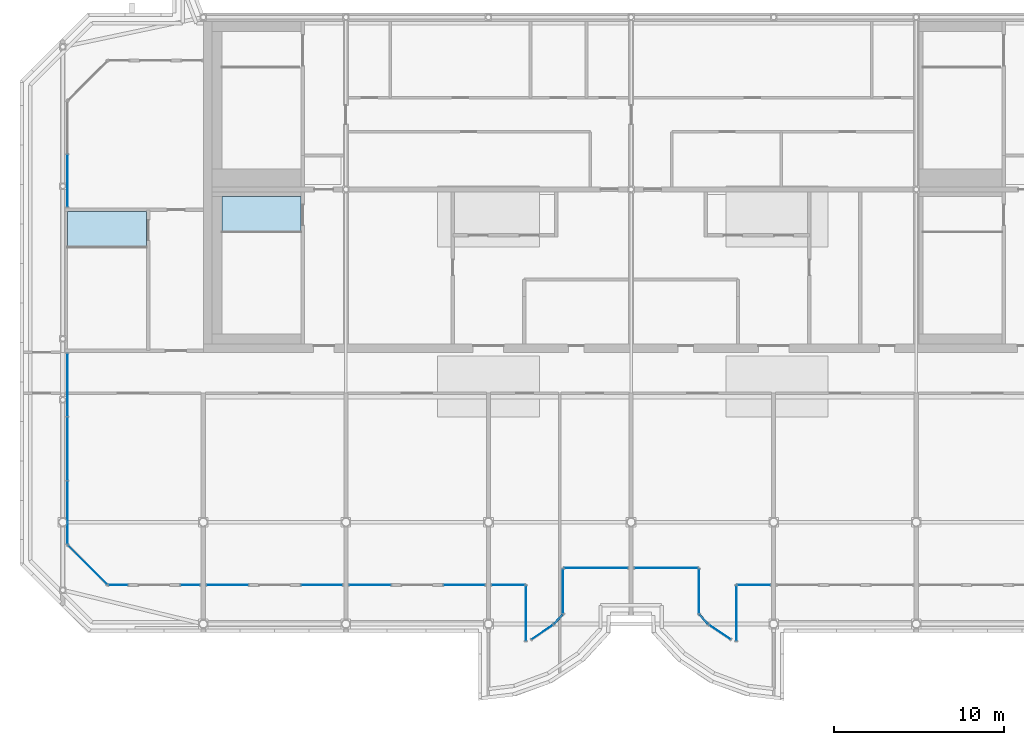
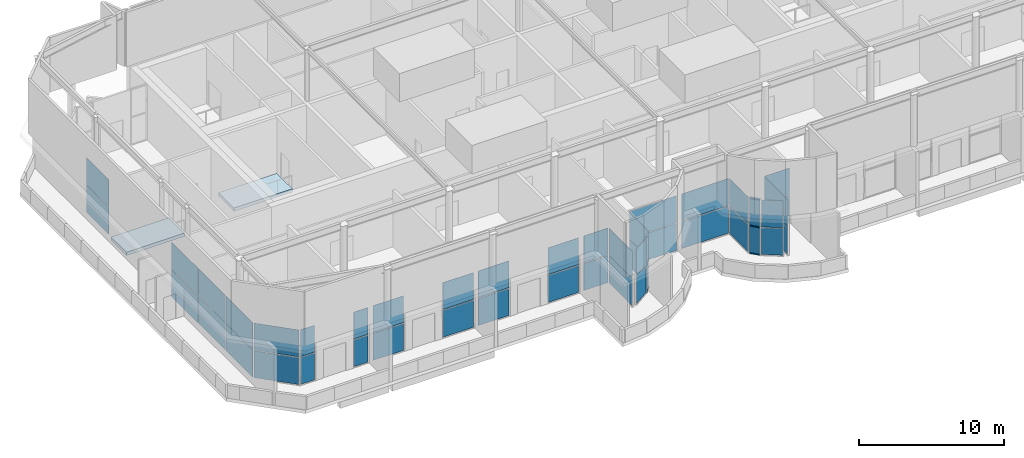
# One storey, part 16 of 25: 46 plates, 6 members, 2 slabs, 21 elements without a shape of their own.
"""IFC4 building model written with IfcOpenShell, lengths in metres."""

import ifcopenshell
import ifcopenshell.guid

model = None  # the IFC model being written
_history = None  # IfcOwnerHistory: only IFC2X3 demands one
_inside = {}  # id of a spatial element -> (the spatial element, [elements in it])
_under = {}  # id of a project, library or spatial element -> (it, [spatial elements below it])
_declared = {}  # id of a project -> (the project, [libraries it declares])
_typed = {}  # id of a type object -> (the type object, [elements of that type])
_made_of = {}  # id of a material, layer set ... -> (it, [elements and type objects made of it])


def new_model(schema):
    """Start an empty IFC model of exactly this schema.

    Asked for "IFC4X3", IfcOpenShell would pick the latest addendum, in which some entities
    have other attributes; the version numbers below select the first issue.
    IFC2X3 requires an IfcOwnerHistory on every rooted entity: one is made here for all.
    """
    global model, _history
    if schema == "IFC4X3":
        model = ifcopenshell.file(schema_version=(4, 3, 0, 0))
    else:
        model = ifcopenshell.file(schema=schema)
    _inside.clear()
    _under.clear()
    _declared.clear()
    _typed.clear()
    _made_of.clear()
    _history = None
    if model.schema == "IFC2X3":
        org = make("IfcOrganization", Name="unknown")
        user = make(
            "IfcPersonAndOrganization",
            ThePerson=make("IfcPerson", FamilyName="unknown"),
            TheOrganization=org,
        )
        app = make(
            "IfcApplication",
            ApplicationDeveloper=org,
            Version="unknown",
            ApplicationFullName="unknown",
            ApplicationIdentifier="unknown",
        )
        _history = make(
            "IfcOwnerHistory",
            OwningUser=user,
            OwningApplication=app,
            ChangeAction="ADDED",
            CreationDate=0,
        )
    return model


def make(cls, **values):
    """One entity of the class cls with the attributes given. An attribute that is None is left unset."""
    return model.create_entity(
        cls, **{name: value for name, value in values.items() if value is not None}
    )


def rooted(cls, **values):
    """An entity with a GlobalId (a new one), such as an element, a storey or a relation."""
    return make(cls, GlobalId=ifcopenshell.guid.new(), OwnerHistory=_history, **values)


def si_unit(unit_type, name, prefix=None):
    """IfcSIUnit, for example si_unit("LENGTHUNIT", "METRE", prefix="MILLI")."""
    return make("IfcSIUnit", UnitType=unit_type, Prefix=prefix, Name=name)


def assignment(units):
    """IfcUnitAssignment: the units of a project."""
    return None if units is None else make("IfcUnitAssignment", Units=units)


def point(xyz):
    """IfcCartesianPoint."""
    return None if xyz is None else make("IfcCartesianPoint", Coordinates=xyz)


def direction(xyz):
    """IfcDirection."""
    return None if xyz is None else make("IfcDirection", DirectionRatios=xyz)


def frame(location, z_axis=None, x_axis=None):
    """IfcAxis2Placement3D, a coordinate frame: its origin and axes. An axis left out is left unset."""
    return make(
        "IfcAxis2Placement3D",
        Location=point(location),
        Axis=direction(z_axis),
        RefDirection=direction(x_axis),
    )


def frame_2d(location, x_axis=None):
    """IfcAxis2Placement2D, a coordinate frame in the plane: its origin and x axis."""
    return make(
        "IfcAxis2Placement2D", Location=point(location), RefDirection=direction(x_axis)
    )


def origin():
    """The frame at (0, 0, 0) with its axes left unset."""
    return frame((0.0, 0.0, 0.0))


def origin_2d():
    """The frame at (0, 0) in the plane with its x axis left unset."""
    return frame_2d((0.0, 0.0))


def place(relative_to, where):
    """IfcLocalPlacement: puts the frame where relative to a parent placement (None: the world)."""
    return make(
        "IfcLocalPlacement", PlacementRelTo=relative_to, RelativePlacement=where
    )


def context(
    kind, dimensions, precision=None, world=None, true_north=None, identifier=None
):
    """IfcGeometricRepresentationContext, for example the 3D "Model" context."""
    return make(
        "IfcGeometricRepresentationContext",
        ContextIdentifier=identifier,
        ContextType=kind,
        CoordinateSpaceDimension=dimensions,
        Precision=precision,
        WorldCoordinateSystem=world,
        TrueNorth=true_north,
    )


def subcontext(parent, identifier, kind, view, scale=None):
    """IfcGeometricRepresentationSubContext, for example "Body" below "Model"."""
    return make(
        "IfcGeometricRepresentationSubContext",
        ContextIdentifier=identifier,
        ContextType=kind,
        ParentContext=parent,
        TargetScale=scale,
        TargetView=view,
    )


def project(units=None, contexts=None):
    """IfcProject with its units and contexts."""
    return rooted(
        "IfcProject",
        Name="project",
        RepresentationContexts=contexts,
        UnitsInContext=assignment(units),
    )


def spatial(cls, under=None, at=None, **own):
    """A site, building, storey or space (cls), placed at a placement, below another one or the project."""
    s = rooted(cls, ObjectPlacement=at, **own)
    if under is not None:
        _under.setdefault(under.id(), (under, []))[1].append(s)
    return s


def polyline(points):
    """IfcPolyline through the points."""
    return make("IfcPolyline", Points=[point(p) for p in points])


def profile(cls, at=None, kind="AREA", **sizes):
    """A parametric profile (cls). Its sizes go by their IFC names, for example OverallWidth=200.0."""
    return make(cls, ProfileType=kind, Position=at, **sizes)


def rectangle(**sizes):
    """IfcRectangleProfileDef."""
    return profile("IfcRectangleProfileDef", **sizes)


def outline(outer, holes=None, kind="AREA"):
    """IfcArbitraryClosedProfileDef: a profile drawn as a closed curve; with holes, ...WithVoids."""
    if holes is None:
        return make("IfcArbitraryClosedProfileDef", ProfileType=kind, OuterCurve=outer)
    return make(
        "IfcArbitraryProfileDefWithVoids",
        ProfileType=kind,
        OuterCurve=outer,
        InnerCurves=holes,
    )


def extrude(swept, where, along, depth):
    """IfcExtrudedAreaSolid: the profile swept, set in the frame where, extruded along a direction by depth."""
    return make(
        "IfcExtrudedAreaSolid",
        SweptArea=swept,
        Position=where,
        ExtrudedDirection=direction(along),
        Depth=depth,
    )


def shape(context_of_items, identifier, shape_type, items):
    """IfcShapeRepresentation: the items that make up one representation, for example the "Body"."""
    return make(
        "IfcShapeRepresentation",
        ContextOfItems=context_of_items,
        RepresentationIdentifier=identifier,
        RepresentationType=shape_type,
        Items=items,
    )


def source(mapping_origin, context_of_items, identifier, shape_type, items):
    """IfcRepresentationMap: a shape defined once, which mapped items show again and again."""
    return make(
        "IfcRepresentationMap",
        MappingOrigin=mapping_origin,
        MappedRepresentation=shape(context_of_items, identifier, shape_type, items),
    )


def transform(
    local_origin,
    x_axis=None,
    y_axis=None,
    z_axis=None,
    scale=None,
    scale2=None,
    scale3=None,
    uniform=True,
):
    """IfcCartesianTransformationOperator3D, or its non-uniform kind. x_axis, y_axis, z_axis: its Axis1, 2, 3."""
    if uniform:
        return make(
            "IfcCartesianTransformationOperator3D",
            Axis1=direction(x_axis),
            Axis2=direction(y_axis),
            LocalOrigin=point(local_origin),
            Scale=scale,
            Axis3=direction(z_axis),
        )
    return make(
        "IfcCartesianTransformationOperator3DnonUniform",
        Axis1=direction(x_axis),
        Axis2=direction(y_axis),
        LocalOrigin=point(local_origin),
        Scale=scale,
        Axis3=direction(z_axis),
        Scale2=scale2,
        Scale3=scale3,
    )


def mapped(mapping_source, mapping_target):
    """IfcMappedItem: shows the shape of a source again, moved by a transform."""
    return make(
        "IfcMappedItem", MappingSource=mapping_source, MappingTarget=mapping_target
    )


def material(Name=None, Category=None):
    """IfcMaterial."""
    return make("IfcMaterial", Name=Name, Category=Category)


def layer(
    of_material, thickness, ventilated=None, Name=None, Category=None, Priority=None
):
    """IfcMaterialLayer: one layer of a wall or slab, of a material (None: an air gap)."""
    return make(
        "IfcMaterialLayer",
        Material=of_material,
        LayerThickness=thickness,
        IsVentilated=ventilated,
        Name=Name,
        Category=Category,
        Priority=Priority,
    )


def layer_set(layers, Name=None):
    """IfcMaterialLayerSet."""
    return make("IfcMaterialLayerSet", MaterialLayers=layers, LayerSetName=Name)


def material_profile(
    of_material, cross_section, Name=None, Category=None, Priority=None
):
    """IfcMaterialProfile: a cross section and its material."""
    return make(
        "IfcMaterialProfile",
        Name=Name,
        Material=of_material,
        Profile=cross_section,
        Priority=Priority,
        Category=Category,
    )


def profile_set(profiles, Name=None, composite=None):
    """IfcMaterialProfileSet."""
    return make(
        "IfcMaterialProfileSet",
        Name=Name,
        MaterialProfiles=profiles,
        CompositeProfile=composite,
    )


def made_of(thing, what):
    """Note that an element or type object is made of a material, layer set ...; save() writes the relation."""
    if what is not None:
        _made_of.setdefault(what.id(), (what, []))[1].append(thing)
    return thing


def type_object(cls, material=None, **own):
    """A type object (cls), such as IfcWallType, which elements share."""
    return made_of(rooted(cls, **own), material)


def element(
    cls,
    number,
    at=None,
    inside=None,
    cuts=None,
    type_object=None,
    material=None,
    context=None,
    identifier="Body",
    shape_type=None,
    held_by="IfcProductDefinitionShape",
    body=None,
    shapes=None,
    **own,
):
    """One element of the class cls, such as IfcWall. Its Tag is "e" and its number.

    at: its placement. inside: the storey or other place that contains it. cuts: it is an
    opening in that element (IfcRelVoidsElement). A single representation is given by context,
    identifier, shape_type and body (its items); several are given by shapes. held_by: the class
    of the entity that holds the representations. save() writes the other relations.
    """
    e = rooted(cls, Tag="e%d" % number, ObjectPlacement=at, **own)
    if body is not None:
        shapes = [shape(context, identifier, shape_type, body)]
    if shapes is not None:
        e.Representation = make(held_by, Representations=shapes)
    if inside is not None:
        _inside.setdefault(inside.id(), (inside, []))[1].append(e)
    if cuts is not None:
        rooted(
            "IfcRelVoidsElement", RelatingBuildingElement=cuts, RelatedOpeningElement=e
        )
    if type_object is not None:
        _typed.setdefault(type_object.id(), (type_object, []))[1].append(e)
    return made_of(e, material)


def aggregate(whole, parts):
    """IfcRelAggregates: a whole, such as a stair, and the parts it consists of."""
    return rooted("IfcRelAggregates", RelatingObject=whole, RelatedObjects=parts)


def save(model, path):
    """Write the relations noted so far, then the file.

    IfcRelAggregates (storeys below a building ...), IfcRelContainedInSpatialStructure (elements
    in a storey), IfcRelDefinesByType, IfcRelAssociatesMaterial and IfcRelDeclares: one each for
    every whole, place, type object, material and project.
    """
    for whole, parts in _under.values():
        aggregate(whole, parts)
    for where, things in _inside.values():
        rooted(
            "IfcRelContainedInSpatialStructure",
            RelatedElements=things,
            RelatingStructure=where,
        )
    for kind, things in _typed.values():
        rooted("IfcRelDefinesByType", RelatedObjects=things, RelatingType=kind)
    for what, things in _made_of.values():
        rooted("IfcRelAssociatesMaterial", RelatedObjects=things, RelatingMaterial=what)
    for by, libraries in _declared.values():
        rooted("IfcRelDeclares", RelatingContext=by, RelatedDefinitions=libraries)
    model.write(path)


model = new_model("IFC4")

# Units and contexts
model_context = context("Model", 3, precision=1e-05, world=origin(), true_north=direction((0.0, 1.0)))
body_context = subcontext(model_context, "Body", "Model", "MODEL_VIEW")
ifc_project = project(units=[si_unit("LENGTHUNIT", "METRE"), si_unit("AREAUNIT", "SQUARE_METRE"), si_unit("VOLUMEUNIT", "CUBIC_METRE"), si_unit("PLANEANGLEUNIT", "RADIAN"), si_unit("MASSUNIT", "GRAM", prefix="KILO")], contexts=[model_context])

# Site, building, storey
site_placement = place(None, origin())
site = spatial("IfcSite", under=ifc_project, at=site_placement, CompositionType="ELEMENT")
building_placement = place(site_placement, origin())
building = spatial("IfcBuilding", under=site, at=building_placement, Name="Vanashikhar Sky Hotel", CompositionType="ELEMENT")
storey_placement = place(building_placement, frame((0.0, 0.0, 329.699951171875)))
storey = spatial("IfcBuildingStorey", under=building, at=storey_placement, Name="L78", CompositionType="ELEMENT", Elevation=329.699951171875)

# Curtain wall, members
ifc_material_1 = material(Name="Glass", Category="glass")
curtain_wall_type = type_object("IfcCurtainWallType", Name="Observation enclosure", PredefinedType="NOTDEFINED", material=ifc_material_1)
curtain_wall_1_placement = place(storey_placement, origin())
curtain_wall_1 = element("IfcCurtainWall", 1, at=curtain_wall_1_placement, inside=storey, type_object=curtain_wall_type, Name="Observation enclosure", PredefinedType="NOTDEFINED")
ifc_material_2 = material(Name="Aluminium 6063-T6", Category="aluminium")
ifc_material_profile = material_profile(ifc_material_2, rectangle(XDim=0.1201171875, YDim=0.06005859375, at=origin_2d()))
ifc_profile_set = profile_set([ifc_material_profile], Name="Aluminium 6063-T6")
member_type = type_object("IfcMemberType", Name="Observation transom 60 x 120", PredefinedType="USERDEFINED", material=ifc_profile_set)
shared_shape_1 = source(origin(), body_context, "Body", "SweptSolid", [
    extrude(rectangle(XDim=0.1201171875, YDim=0.06005859375, at=origin_2d()), origin(), (0.0, 0.0, 1.0), 0.728271484375),
])
member_1_placement = place(storey_placement, frame((45.86767578125, 6.007080078125, 0.030029296875), z_axis=(0.67523865305, 0.737599323093, 0.0), x_axis=(-0.737599323093, 0.67523865305, 0.0)))
member_1 = element("IfcMember", 2, at=member_1_placement, type_object=member_type, Name="CW-6 transom 1.1", ObjectType="TRANSOM", PredefinedType="USERDEFINED", context=body_context, shape_type="MappedRepresentation", body=[
    mapped(shared_shape_1, transform((0.0, 0.0, 0.0), scale=1.0)),
])
member_2_placement = place(storey_placement, frame((45.86767578125, 6.007080078125, 2.360107421875), z_axis=(0.67523865305, 0.737599323093, 0.0), x_axis=(-0.737599323093, 0.67523865305, 0.0)))
member_2 = element("IfcMember", 3, at=member_2_placement, type_object=member_type, Name="CW-6 transom 1.2", ObjectType="TRANSOM", PredefinedType="USERDEFINED", context=body_context, shape_type="MappedRepresentation", body=[
    mapped(shared_shape_1, transform((0.0, 0.0, 0.0), scale=1.0)),
])
member_3_placement = place(storey_placement, frame((45.86767578125, 6.007080078125, 4.68994140625), z_axis=(0.67523865305, 0.737599323093, 0.0), x_axis=(-0.737599323093, 0.67523865305, 0.0)))
member_3 = element("IfcMember", 4, at=member_3_placement, type_object=member_type, Name="CW-6 transom 1.3", ObjectType="TRANSOM", PredefinedType="USERDEFINED", context=body_context, shape_type="MappedRepresentation", body=[
    mapped(shared_shape_1, transform((0.0, 0.0, 0.0), scale=1.0)),
])

curtain_wall_2_placement = place(storey_placement, origin())
curtain_wall_2 = element("IfcCurtainWall", 5, at=curtain_wall_2_placement, inside=storey, type_object=curtain_wall_type, Name="Observation enclosure", PredefinedType="NOTDEFINED")
shared_shape_2 = source(origin(), body_context, "Body", "SweptSolid", [
    extrude(rectangle(XDim=0.1201171875, YDim=0.06005859375, at=origin_2d()), origin(), (0.0, 0.0, 1.0), 0.728271484375),
])
member_4_placement = place(storey_placement, frame((54.4404296875, 6.544189453125, 0.030029296875), z_axis=(0.675420997007, -0.737432354052, 0.0), x_axis=(0.737432354052, 0.675420997007, 0.0)))
member_4 = element("IfcMember", 6, at=member_4_placement, type_object=member_type, Name="CW-6 transom 1.1", ObjectType="TRANSOM", PredefinedType="USERDEFINED", context=body_context, shape_type="MappedRepresentation", body=[
    mapped(shared_shape_2, transform((0.0, 0.0, 0.0), scale=1.0)),
])
member_5_placement = place(storey_placement, frame((54.4404296875, 6.544189453125, 2.360107421875), z_axis=(0.675420997007, -0.737432354052, 0.0), x_axis=(0.737432354052, 0.675420997007, 0.0)))
member_5 = element("IfcMember", 7, at=member_5_placement, type_object=member_type, Name="CW-6 transom 1.2", ObjectType="TRANSOM", PredefinedType="USERDEFINED", context=body_context, shape_type="MappedRepresentation", body=[
    mapped(shared_shape_2, transform((0.0, 0.0, 0.0), scale=1.0)),
])
member_6_placement = place(storey_placement, frame((54.4404296875, 6.544189453125, 4.68994140625), z_axis=(0.675420997007, -0.737432354052, 0.0), x_axis=(0.737432354052, 0.675420997007, 0.0)))
member_6 = element("IfcMember", 8, at=member_6_placement, type_object=member_type, Name="CW-6 transom 1.3", ObjectType="TRANSOM", PredefinedType="USERDEFINED", context=body_context, shape_type="MappedRepresentation", body=[
    mapped(shared_shape_2, transform((0.0, 0.0, 0.0), scale=1.0)),
])

# Curtain wall, plates
curtain_wall_3_placement = place(storey_placement, origin())
curtain_wall_3 = element("IfcCurtainWall", 9, at=curtain_wall_3_placement, inside=storey, type_object=curtain_wall_type, Name="Observation enclosure", PredefinedType="NOTDEFINED")
ifc_layer_1 = layer(ifc_material_1, 0.028076171875)
ifc_layer_set_1 = layer_set([ifc_layer_1], Name="Observation glazing panel")
plate_type = type_object("IfcPlateType", Name="Observation glazing panel", PredefinedType="CURTAIN_PANEL", material=ifc_layer_set_1)
shared_shape_3 = source(origin(), body_context, "Body", "SweptSolid", [
    extrude(rectangle(XDim=3.21728515625, YDim=0.028076171875, at=origin_2d()), origin(), (0.0, 0.0, 1.0), 2.27001953125),
])
plate_1_placement = place(storey_placement, frame((18.3798828125, 9.47998046875, 0.06005859375), z_axis=(0.0, 0.0, 1.0), x_axis=(0.707106781187, -0.707106781187, 0.0)))
plate_1 = element("IfcPlate", 10, at=plate_1_placement, type_object=plate_type, Name="CW-6 panel 1.1", PredefinedType="CURTAIN_PANEL", context=body_context, shape_type="MappedRepresentation", body=[
    mapped(shared_shape_3, transform((0.0, 0.0, 0.0), scale=1.0)),
])
plate_2_placement = place(storey_placement, frame((18.3798828125, 9.47998046875, 2.39013671875), z_axis=(0.0, 0.0, 1.0), x_axis=(0.707106781187, -0.707106781187, 0.0)))
plate_2 = element("IfcPlate", 11, at=plate_2_placement, type_object=plate_type, Name="CW-6 panel 1.2", PredefinedType="CURTAIN_PANEL", context=body_context, shape_type="MappedRepresentation", body=[
    mapped(shared_shape_3, transform((0.0, 0.0, 0.0), scale=1.0)),
])
aggregate(curtain_wall_3, [plate_1, plate_2])

curtain_wall_4_placement = place(storey_placement, origin())
curtain_wall_4 = element("IfcCurtainWall", 12, at=curtain_wall_4_placement, inside=storey, type_object=curtain_wall_type, Name="Observation enclosure", PredefinedType="NOTDEFINED")
shared_shape_4 = source(origin(), body_context, "Body", "SweptSolid", [
    extrude(rectangle(XDim=3.683349609375, YDim=0.028076171875, at=origin_2d()), origin(), (0.0, 0.0, 1.0), 2.27001953125),
])
plate_3_placement = place(storey_placement, frame((17.199951171875, 20.078369140625, 0.06005859375), z_axis=(0.0, 0.0, 1.0), x_axis=(0.0, -1.0, 0.0)))
plate_3 = element("IfcPlate", 13, at=plate_3_placement, type_object=plate_type, Name="CW-6 panel 1.1", PredefinedType="CURTAIN_PANEL", context=body_context, shape_type="MappedRepresentation", body=[
    mapped(shared_shape_4, transform((0.0, 0.0, 0.0), scale=1.0)),
])
plate_4_placement = place(storey_placement, frame((17.199951171875, 20.078369140625, 2.39013671875), z_axis=(0.0, 0.0, 1.0), x_axis=(0.0, -1.0, 0.0)))
plate_4 = element("IfcPlate", 14, at=plate_4_placement, type_object=plate_type, Name="CW-6 panel 1.2", PredefinedType="CURTAIN_PANEL", context=body_context, shape_type="MappedRepresentation", body=[
    mapped(shared_shape_4, transform((0.0, 0.0, 0.0), scale=1.0)),
])
plate_5_placement = place(storey_placement, frame((17.199951171875, 12.5615234375, 0.06005859375), z_axis=(0.0, 0.0, 1.0), x_axis=(0.0, -1.0, 0.0)))
plate_5 = element("IfcPlate", 15, at=plate_5_placement, type_object=plate_type, Name="CW-6 panel 3.1", PredefinedType="CURTAIN_PANEL", context=body_context, shape_type="MappedRepresentation", body=[
    mapped(shared_shape_4, transform((0.0, 0.0, 0.0), scale=1.0)),
])
plate_6_placement = place(storey_placement, frame((17.199951171875, 12.5615234375, 2.39013671875), z_axis=(0.0, 0.0, 1.0), x_axis=(0.0, -1.0, 0.0)))
plate_6 = element("IfcPlate", 16, at=plate_6_placement, type_object=plate_type, Name="CW-6 panel 3.2", PredefinedType="CURTAIN_PANEL", context=body_context, shape_type="MappedRepresentation", body=[
    mapped(shared_shape_4, transform((0.0, 0.0, 0.0), scale=1.0)),
])
shared_shape_5 = source(origin(), body_context, "Body", "SweptSolid", [
    extrude(rectangle(XDim=3.71337890625, YDim=0.028076171875, at=origin_2d()), origin(), (0.0, 0.0, 1.0), 2.27001953125),
])
plate_7_placement = place(storey_placement, frame((17.199951171875, 16.31982421875, 0.06005859375), z_axis=(0.0, 0.0, 1.0), x_axis=(0.0, -1.0, 0.0)))
plate_7 = element("IfcPlate", 17, at=plate_7_placement, type_object=plate_type, Name="CW-6 panel 2.1", PredefinedType="CURTAIN_PANEL", context=body_context, shape_type="MappedRepresentation", body=[
    mapped(shared_shape_5, transform((0.0, 0.0, 0.0), scale=1.0)),
])
plate_8_placement = place(storey_placement, frame((17.199951171875, 16.31982421875, 2.39013671875), z_axis=(0.0, 0.0, 1.0), x_axis=(0.0, -1.0, 0.0)))
plate_8 = element("IfcPlate", 18, at=plate_8_placement, type_object=plate_type, Name="CW-6 panel 2.2", PredefinedType="CURTAIN_PANEL", context=body_context, shape_type="MappedRepresentation", body=[
    mapped(shared_shape_5, transform((0.0, 0.0, 0.0), scale=1.0)),
])
aggregate(curtain_wall_4, [plate_3, plate_4, plate_7, plate_8, plate_5, plate_6])

curtain_wall_5_placement = place(storey_placement, origin())
curtain_wall_5 = element("IfcCurtainWall", 19, at=curtain_wall_5_placement, inside=storey, type_object=curtain_wall_type, Name="Observation enclosure", PredefinedType="NOTDEFINED")
shared_shape_6 = source(origin(), body_context, "Body", "SweptSolid", [
    extrude(rectangle(XDim=3.070068359375, YDim=0.028076171875, at=origin_2d()), origin(), (0.0, 0.0, 1.0), 2.27001953125),
])
plate_9_placement = place(storey_placement, frame((17.199951171875, 32.114990234375, 0.06005859375), z_axis=(0.0, 0.0, 1.0), x_axis=(0.0, -1.0, 0.0)))
plate_9 = element("IfcPlate", 20, at=plate_9_placement, type_object=plate_type, Name="CW-6 panel 2.1", PredefinedType="CURTAIN_PANEL", context=body_context, shape_type="MappedRepresentation", body=[
    mapped(shared_shape_6, transform((0.0, 0.0, 0.0), scale=1.0)),
])
plate_10_placement = place(storey_placement, frame((17.199951171875, 32.114990234375, 2.39013671875), z_axis=(0.0, 0.0, 1.0), x_axis=(0.0, -1.0, 0.0)))
plate_10 = element("IfcPlate", 21, at=plate_10_placement, type_object=plate_type, Name="CW-6 panel 2.2", PredefinedType="CURTAIN_PANEL", context=body_context, shape_type="MappedRepresentation", body=[
    mapped(shared_shape_6, transform((0.0, 0.0, 0.0), scale=1.0)),
])
aggregate(curtain_wall_5, [plate_9, plate_10])

curtain_wall_6_placement = place(storey_placement, origin())
curtain_wall_6 = element("IfcCurtainWall", 22, at=curtain_wall_6_placement, inside=storey, type_object=curtain_wall_type, Name="Observation enclosure", PredefinedType="NOTDEFINED")
shared_shape_7 = source(origin(), body_context, "Body", "SweptSolid", [
    extrude(rectangle(XDim=1.127685546875, YDim=0.028076171875, at=origin_2d()), origin(), (0.0, 0.0, 1.0), 2.27001953125),
])
plate_11_placement = place(storey_placement, frame((20.18359375, 8.300048828125, 0.06005859375), z_axis=(0.0, 0.0, 1.0), x_axis=(1.0, 0.0, 0.0)))
plate_11 = element("IfcPlate", 23, at=plate_11_placement, type_object=plate_type, Name="CW-6 panel 1.1", PredefinedType="CURTAIN_PANEL", context=body_context, shape_type="MappedRepresentation", body=[
    mapped(shared_shape_7, transform((0.0, 0.0, 0.0), scale=1.0)),
])
plate_12_placement = place(storey_placement, frame((20.18359375, 8.300048828125, 2.39013671875), z_axis=(0.0, 0.0, 1.0), x_axis=(1.0, 0.0, 0.0)))
plate_12 = element("IfcPlate", 24, at=plate_12_placement, type_object=plate_type, Name="CW-6 panel 1.2", PredefinedType="CURTAIN_PANEL", context=body_context, shape_type="MappedRepresentation", body=[
    mapped(shared_shape_7, transform((0.0, 0.0, 0.0), scale=1.0)),
])
aggregate(curtain_wall_6, [plate_11, plate_12])

curtain_wall_7_placement = place(storey_placement, origin())
curtain_wall_7 = element("IfcCurtainWall", 25, at=curtain_wall_7_placement, inside=storey, type_object=curtain_wall_type, Name="Observation enclosure", PredefinedType="NOTDEFINED")
plate_13_placement = place(storey_placement, frame((24.43115234375, 8.300048828125, 0.06005859375), z_axis=(0.0, 0.0, 1.0), x_axis=(1.0, 0.0, 0.0)))
plate_13 = element("IfcPlate", 26, at=plate_13_placement, type_object=plate_type, Name="CW-6 panel 1.1", PredefinedType="CURTAIN_PANEL", context=body_context, shape_type="MappedRepresentation", body=[
    mapped(shared_shape_7, transform((0.0, 0.0, 0.0), scale=1.0)),
])
plate_14_placement = place(storey_placement, frame((24.43115234375, 8.300048828125, 2.39013671875), z_axis=(0.0, 0.0, 1.0), x_axis=(1.0, 0.0, 0.0)))
plate_14 = element("IfcPlate", 27, at=plate_14_placement, type_object=plate_type, Name="CW-6 panel 1.2", PredefinedType="CURTAIN_PANEL", context=body_context, shape_type="MappedRepresentation", body=[
    mapped(shared_shape_7, transform((0.0, 0.0, 0.0), scale=1.0)),
])
aggregate(curtain_wall_7, [plate_13, plate_14])

curtain_wall_8_placement = place(storey_placement, origin())
curtain_wall_8 = element("IfcCurtainWall", 28, at=curtain_wall_8_placement, inside=storey, type_object=curtain_wall_type, Name="Observation enclosure", PredefinedType="NOTDEFINED")
shared_shape_8 = source(origin(), body_context, "Body", "SweptSolid", [
    extrude(rectangle(XDim=2.43505859375, YDim=0.028076171875, at=origin_2d()), origin(), (0.0, 0.0, 1.0), 2.27001953125),
])
plate_15_placement = place(storey_placement, frame((26.62255859375, 8.300048828125, 0.06005859375), z_axis=(0.0, 0.0, 1.0), x_axis=(1.0, 0.0, 0.0)))
plate_15 = element("IfcPlate", 29, at=plate_15_placement, type_object=plate_type, Name="CW-6 panel 1.1", PredefinedType="CURTAIN_PANEL", context=body_context, shape_type="MappedRepresentation", body=[
    mapped(shared_shape_8, transform((0.0, 0.0, 0.0), scale=1.0)),
])
plate_16_placement = place(storey_placement, frame((26.62255859375, 8.300048828125, 2.39013671875), z_axis=(0.0, 0.0, 1.0), x_axis=(1.0, 0.0, 0.0)))
plate_16 = element("IfcPlate", 30, at=plate_16_placement, type_object=plate_type, Name="CW-6 panel 1.2", PredefinedType="CURTAIN_PANEL", context=body_context, shape_type="MappedRepresentation", body=[
    mapped(shared_shape_8, transform((0.0, 0.0, 0.0), scale=1.0)),
])
aggregate(curtain_wall_8, [plate_15, plate_16])

curtain_wall_9_placement = place(storey_placement, origin())
curtain_wall_9 = element("IfcCurtainWall", 31, at=curtain_wall_9_placement, inside=storey, type_object=curtain_wall_type, Name="Observation enclosure", PredefinedType="NOTDEFINED")
plate_17_placement = place(storey_placement, frame((32.177490234375, 8.300048828125, 0.06005859375), z_axis=(0.0, 0.0, 1.0), x_axis=(1.0, 0.0, 0.0)))
plate_17 = element("IfcPlate", 32, at=plate_17_placement, type_object=plate_type, Name="CW-6 panel 1.1", PredefinedType="CURTAIN_PANEL", context=body_context, shape_type="MappedRepresentation", body=[
    mapped(shared_shape_8, transform((0.0, 0.0, 0.0), scale=1.0)),
])
plate_18_placement = place(storey_placement, frame((32.177490234375, 8.300048828125, 2.39013671875), z_axis=(0.0, 0.0, 1.0), x_axis=(1.0, 0.0, 0.0)))
plate_18 = element("IfcPlate", 33, at=plate_18_placement, type_object=plate_type, Name="CW-6 panel 1.2", PredefinedType="CURTAIN_PANEL", context=body_context, shape_type="MappedRepresentation", body=[
    mapped(shared_shape_8, transform((0.0, 0.0, 0.0), scale=1.0)),
])
aggregate(curtain_wall_9, [plate_17, plate_18])

curtain_wall_10_placement = place(storey_placement, origin())
curtain_wall_10 = element("IfcCurtainWall", 34, at=curtain_wall_10_placement, inside=storey, type_object=curtain_wall_type, Name="Observation enclosure", PredefinedType="NOTDEFINED")
plate_19_placement = place(storey_placement, frame((35.0224609375, 8.300048828125, 0.06005859375), z_axis=(0.0, 0.0, 1.0), x_axis=(1.0, 0.0, 0.0)))
plate_19 = element("IfcPlate", 35, at=plate_19_placement, type_object=plate_type, Name="CW-6 panel 1.1", PredefinedType="CURTAIN_PANEL", context=body_context, shape_type="MappedRepresentation", body=[
    mapped(shared_shape_8, transform((0.0, 0.0, 0.0), scale=1.0)),
])
plate_20_placement = place(storey_placement, frame((35.0224609375, 8.300048828125, 2.39013671875), z_axis=(0.0, 0.0, 1.0), x_axis=(1.0, 0.0, 0.0)))
plate_20 = element("IfcPlate", 36, at=plate_20_placement, type_object=plate_type, Name="CW-6 panel 1.2", PredefinedType="CURTAIN_PANEL", context=body_context, shape_type="MappedRepresentation", body=[
    mapped(shared_shape_8, transform((0.0, 0.0, 0.0), scale=1.0)),
])
aggregate(curtain_wall_10, [plate_19, plate_20])

curtain_wall_11_placement = place(storey_placement, origin())
curtain_wall_11 = element("IfcCurtainWall", 37, at=curtain_wall_11_placement, inside=storey, type_object=curtain_wall_type, Name="Observation enclosure", PredefinedType="NOTDEFINED")
plate_21_placement = place(storey_placement, frame((40.577392578125, 8.300048828125, 0.06005859375), z_axis=(0.0, 0.0, 1.0), x_axis=(1.0, 0.0, 0.0)))
plate_21 = element("IfcPlate", 38, at=plate_21_placement, type_object=plate_type, Name="CW-6 panel 1.1", PredefinedType="CURTAIN_PANEL", context=body_context, shape_type="MappedRepresentation", body=[
    mapped(shared_shape_8, transform((0.0, 0.0, 0.0), scale=1.0)),
])
plate_22_placement = place(storey_placement, frame((40.577392578125, 8.300048828125, 2.39013671875), z_axis=(0.0, 0.0, 1.0), x_axis=(1.0, 0.0, 0.0)))
plate_22 = element("IfcPlate", 39, at=plate_22_placement, type_object=plate_type, Name="CW-6 panel 1.2", PredefinedType="CURTAIN_PANEL", context=body_context, shape_type="MappedRepresentation", body=[
    mapped(shared_shape_8, transform((0.0, 0.0, 0.0), scale=1.0)),
])
aggregate(curtain_wall_11, [plate_21, plate_22])

curtain_wall_12_placement = place(storey_placement, origin())
curtain_wall_12 = element("IfcCurtainWall", 40, at=curtain_wall_12_placement, inside=storey, type_object=curtain_wall_type, Name="Observation enclosure", PredefinedType="NOTDEFINED")
shared_shape_9 = source(origin(), body_context, "Body", "SweptSolid", [
    extrude(rectangle(XDim=1.93505859375, YDim=0.028076171875, at=origin_2d()), origin(), (0.0, 0.0, 1.0), 2.27001953125),
])
plate_23_placement = place(storey_placement, frame((43.172607421875, 8.300048828125, 0.06005859375), z_axis=(0.0, 0.0, 1.0), x_axis=(1.0, 0.0, 0.0)))
plate_23 = element("IfcPlate", 41, at=plate_23_placement, type_object=plate_type, Name="CW-6 panel 1.1", PredefinedType="CURTAIN_PANEL", context=body_context, shape_type="MappedRepresentation", body=[
    mapped(shared_shape_9, transform((0.0, 0.0, 0.0), scale=1.0)),
])
plate_24_placement = place(storey_placement, frame((43.172607421875, 8.300048828125, 2.39013671875), z_axis=(0.0, 0.0, 1.0), x_axis=(1.0, 0.0, 0.0)))
plate_24 = element("IfcPlate", 42, at=plate_24_placement, type_object=plate_type, Name="CW-6 panel 1.2", PredefinedType="CURTAIN_PANEL", context=body_context, shape_type="MappedRepresentation", body=[
    mapped(shared_shape_9, transform((0.0, 0.0, 0.0), scale=1.0)),
])
aggregate(curtain_wall_12, [plate_23, plate_24])

curtain_wall_13_placement = place(storey_placement, origin())
curtain_wall_13 = element("IfcCurtainWall", 43, at=curtain_wall_13_placement, inside=storey, type_object=curtain_wall_type, Name="Observation enclosure", PredefinedType="NOTDEFINED")
plate_25_placement = place(storey_placement, frame((57.62744140625, 8.300048828125, 0.06005859375), z_axis=(0.0, 0.0, 1.0), x_axis=(1.0, 0.0, 0.0)))
plate_25 = element("IfcPlate", 44, at=plate_25_placement, type_object=plate_type, Name="CW-6 panel 1.1", PredefinedType="CURTAIN_PANEL", context=body_context, shape_type="MappedRepresentation", body=[
    mapped(shared_shape_9, transform((0.0, 0.0, 0.0), scale=1.0)),
])
plate_26_placement = place(storey_placement, frame((57.62744140625, 8.300048828125, 2.39013671875), z_axis=(0.0, 0.0, 1.0), x_axis=(1.0, 0.0, 0.0)))
plate_26 = element("IfcPlate", 45, at=plate_26_placement, type_object=plate_type, Name="CW-6 panel 1.2", PredefinedType="CURTAIN_PANEL", context=body_context, shape_type="MappedRepresentation", body=[
    mapped(shared_shape_9, transform((0.0, 0.0, 0.0), scale=1.0)),
])
aggregate(curtain_wall_13, [plate_25, plate_26])

curtain_wall_14_placement = place(storey_placement, origin())
curtain_wall_14 = element("IfcCurtainWall", 46, at=curtain_wall_14_placement, inside=storey, type_object=curtain_wall_type, Name="Observation enclosure", PredefinedType="NOTDEFINED")
shared_shape_10 = source(origin(), body_context, "Body", "SweptSolid", [
    extrude(rectangle(XDim=3.222900390625, YDim=0.028076171875, at=origin_2d()), origin(), (0.0, 0.0, 1.0), 2.27001953125),
])
plate_27_placement = place(storey_placement, frame((44.199951171875, 6.628662109375, 0.06005859375), z_axis=(0.0, 0.0, 1.0), x_axis=(0.0, -1.0, 0.0)))
plate_27 = element("IfcPlate", 47, at=plate_27_placement, type_object=plate_type, Name="CW-6 panel 1.1", PredefinedType="CURTAIN_PANEL", context=body_context, shape_type="MappedRepresentation", body=[
    mapped(shared_shape_10, transform((0.0, 0.0, 0.0), scale=1.0)),
])
plate_28_placement = place(storey_placement, frame((44.199951171875, 6.628662109375, 2.39013671875), z_axis=(0.0, 0.0, 1.0), x_axis=(0.0, -1.0, 0.0)))
plate_28 = element("IfcPlate", 48, at=plate_28_placement, type_object=plate_type, Name="CW-6 panel 1.2", PredefinedType="CURTAIN_PANEL", context=body_context, shape_type="MappedRepresentation", body=[
    mapped(shared_shape_10, transform((0.0, 0.0, 0.0), scale=1.0)),
])
aggregate(curtain_wall_14, [plate_27, plate_28])

curtain_wall_15_placement = place(storey_placement, origin())
curtain_wall_15 = element("IfcCurtainWall", 49, at=curtain_wall_15_placement, inside=storey, type_object=curtain_wall_type, Name="Observation enclosure", PredefinedType="NOTDEFINED")
plate_29_placement = place(storey_placement, frame((56.60009765625, 6.628662109375, 0.06005859375), z_axis=(0.0, 0.0, 1.0), x_axis=(0.0, 1.0, 0.0)))
plate_29 = element("IfcPlate", 50, at=plate_29_placement, type_object=plate_type, Name="CW-6 panel 1.1", PredefinedType="CURTAIN_PANEL", context=body_context, shape_type="MappedRepresentation", body=[
    mapped(shared_shape_10, transform((0.0, 0.0, 0.0), scale=1.0)),
])
plate_30_placement = place(storey_placement, frame((56.60009765625, 6.628662109375, 2.39013671875), z_axis=(0.0, 0.0, 1.0), x_axis=(0.0, 1.0, 0.0)))
plate_30 = element("IfcPlate", 51, at=plate_30_placement, type_object=plate_type, Name="CW-6 panel 1.2", PredefinedType="CURTAIN_PANEL", context=body_context, shape_type="MappedRepresentation", body=[
    mapped(shared_shape_10, transform((0.0, 0.0, 0.0), scale=1.0)),
])
aggregate(curtain_wall_15, [plate_29, plate_30])

curtain_wall_16_placement = place(storey_placement, origin())
curtain_wall_16 = element("IfcCurtainWall", 52, at=curtain_wall_16_placement, inside=storey, type_object=curtain_wall_type, Name="Observation enclosure", PredefinedType="NOTDEFINED")
shared_shape_11 = source(origin(), body_context, "Body", "SweptSolid", [
    extrude(rectangle(XDim=1.484130859375, YDim=0.028076171875, at=origin_2d()), origin(), (0.0, 0.0, 1.0), 2.27001953125),
])
plate_31_placement = place(storey_placement, frame((45.16162109375, 5.514892578125, 0.06005859375), z_axis=(0.0, 0.0, 1.0), x_axis=(0.829596632568, 0.558363167868, 0.0)))
plate_31 = element("IfcPlate", 53, at=plate_31_placement, type_object=plate_type, Name="CW-6 panel 1.1", PredefinedType="CURTAIN_PANEL", context=body_context, shape_type="MappedRepresentation", body=[
    mapped(shared_shape_11, transform((0.0, 0.0, 0.0), scale=1.0)),
])
plate_32_placement = place(storey_placement, frame((45.16162109375, 5.514892578125, 2.39013671875), z_axis=(0.0, 0.0, 1.0), x_axis=(0.829596632568, 0.558363167868, 0.0)))
plate_32 = element("IfcPlate", 54, at=plate_32_placement, type_object=plate_type, Name="CW-6 panel 1.2", PredefinedType="CURTAIN_PANEL", context=body_context, shape_type="MappedRepresentation", body=[
    mapped(shared_shape_11, transform((0.0, 0.0, 0.0), scale=1.0)),
])
aggregate(curtain_wall_16, [plate_31, plate_32])

curtain_wall_17_placement = place(storey_placement, origin())
curtain_wall_17 = element("IfcCurtainWall", 55, at=curtain_wall_17_placement, inside=storey, type_object=curtain_wall_type, Name="Observation enclosure", PredefinedType="NOTDEFINED")
plate_33_placement = place(storey_placement, frame((55.63818359375, 5.514892578125, 0.06005859375), z_axis=(0.0, 0.0, 1.0), x_axis=(0.829596632568, -0.558363167868, 0.0)))
plate_33 = element("IfcPlate", 56, at=plate_33_placement, type_object=plate_type, Name="CW-6 panel 1.1", PredefinedType="CURTAIN_PANEL", context=body_context, shape_type="MappedRepresentation", body=[
    mapped(shared_shape_11, transform((0.0, 0.0, 0.0), scale=1.0)),
])
plate_34_placement = place(storey_placement, frame((55.63818359375, 5.514892578125, 2.39013671875), z_axis=(0.0, 0.0, 1.0), x_axis=(0.829596632568, -0.558363167868, 0.0)))
plate_34 = element("IfcPlate", 57, at=plate_34_placement, type_object=plate_type, Name="CW-6 panel 1.2", PredefinedType="CURTAIN_PANEL", context=body_context, shape_type="MappedRepresentation", body=[
    mapped(shared_shape_11, transform((0.0, 0.0, 0.0), scale=1.0)),
])
aggregate(curtain_wall_17, [plate_33, plate_34])

# Plate
shared_shape_12 = source(origin(), body_context, "Body", "SweptSolid", [
    extrude(rectangle(XDim=0.728271484375, YDim=0.028076171875, at=origin_2d()), origin(), (0.0, 0.0, 1.0), 2.27001953125),
])
plate_35_placement = place(storey_placement, frame((46.113525390625, 6.275634765625, 0.06005859375), z_axis=(0.0, 0.0, 1.0), x_axis=(0.675361550624, 0.737486797128, 0.0)))
plate_35 = element("IfcPlate", 58, at=plate_35_placement, type_object=plate_type, Name="CW-6 panel 1.1", PredefinedType="CURTAIN_PANEL", context=body_context, shape_type="MappedRepresentation", body=[
    mapped(shared_shape_12, transform((0.0, 0.0, 0.0), scale=1.0)),
])

plate_36_placement = place(storey_placement, frame((46.113525390625, 6.275634765625, 2.39013671875), z_axis=(0.0, 0.0, 1.0), x_axis=(0.675361550624, 0.737486797128, 0.0)))
plate_36 = element("IfcPlate", 59, at=plate_36_placement, type_object=plate_type, Name="CW-6 panel 1.2", PredefinedType="CURTAIN_PANEL", context=body_context, shape_type="MappedRepresentation", body=[
    mapped(shared_shape_12, transform((0.0, 0.0, 0.0), scale=1.0)),
])

aggregate(curtain_wall_1, [member_1, member_2, member_3, plate_35, plate_36])

plate_37_placement = place(storey_placement, frame((54.6865234375, 6.275634765625, 0.06005859375), z_axis=(0.0, 0.0, 1.0), x_axis=(0.675361550624, -0.737486797128, 0.0)))
plate_37 = element("IfcPlate", 60, at=plate_37_placement, type_object=plate_type, Name="CW-6 panel 1.1", PredefinedType="CURTAIN_PANEL", context=body_context, shape_type="MappedRepresentation", body=[
    mapped(shared_shape_12, transform((0.0, 0.0, 0.0), scale=1.0)),
])

plate_38_placement = place(storey_placement, frame((54.6865234375, 6.275634765625, 2.39013671875), z_axis=(0.0, 0.0, 1.0), x_axis=(0.675361550624, -0.737486797128, 0.0)))
plate_38 = element("IfcPlate", 61, at=plate_38_placement, type_object=plate_type, Name="CW-6 panel 1.2", PredefinedType="CURTAIN_PANEL", context=body_context, shape_type="MappedRepresentation", body=[
    mapped(shared_shape_12, transform((0.0, 0.0, 0.0), scale=1.0)),
])

aggregate(curtain_wall_2, [member_4, member_5, member_6, plate_37, plate_38])

# Curtain wall, plates
curtain_wall_18_placement = place(storey_placement, origin())
curtain_wall_18 = element("IfcCurtainWall", 62, at=curtain_wall_18_placement, inside=storey, type_object=curtain_wall_type, Name="Observation enclosure", PredefinedType="NOTDEFINED")
shared_shape_13 = source(origin(), body_context, "Body", "SweptSolid", [
    extrude(rectangle(XDim=2.591552734375, YDim=0.028076171875, at=origin_2d()), origin(), (0.0, 0.0, 1.0), 2.27001953125),
])
plate_39_placement = place(storey_placement, frame((46.39990234375, 7.944091796875, 0.06005859375), z_axis=(0.0, 0.0, 1.0), x_axis=(0.0, 1.0, 0.0)))
plate_39 = element("IfcPlate", 63, at=plate_39_placement, type_object=plate_type, Name="CW-6 panel 1.1", PredefinedType="CURTAIN_PANEL", context=body_context, shape_type="MappedRepresentation", body=[
    mapped(shared_shape_13, transform((0.0, 0.0, 0.0), scale=1.0)),
])
plate_40_placement = place(storey_placement, frame((46.39990234375, 7.944091796875, 2.39013671875), z_axis=(0.0, 0.0, 1.0), x_axis=(0.0, 1.0, 0.0)))
plate_40 = element("IfcPlate", 64, at=plate_40_placement, type_object=plate_type, Name="CW-6 panel 1.2", PredefinedType="CURTAIN_PANEL", context=body_context, shape_type="MappedRepresentation", body=[
    mapped(shared_shape_13, transform((0.0, 0.0, 0.0), scale=1.0)),
])
aggregate(curtain_wall_18, [plate_39, plate_40])

curtain_wall_19_placement = place(storey_placement, origin())
curtain_wall_19 = element("IfcCurtainWall", 65, at=curtain_wall_19_placement, inside=storey, type_object=curtain_wall_type, Name="Observation enclosure", PredefinedType="NOTDEFINED")
plate_41_placement = place(storey_placement, frame((54.39990234375, 7.944091796875, 0.06005859375), z_axis=(0.0, 0.0, 1.0), x_axis=(0.0, -1.0, 0.0)))
plate_41 = element("IfcPlate", 66, at=plate_41_placement, type_object=plate_type, Name="CW-6 panel 1.1", PredefinedType="CURTAIN_PANEL", context=body_context, shape_type="MappedRepresentation", body=[
    mapped(shared_shape_13, transform((0.0, 0.0, 0.0), scale=1.0)),
])
plate_42_placement = place(storey_placement, frame((54.39990234375, 7.944091796875, 2.39013671875), z_axis=(0.0, 0.0, 1.0), x_axis=(0.0, -1.0, 0.0)))
plate_42 = element("IfcPlate", 67, at=plate_42_placement, type_object=plate_type, Name="CW-6 panel 1.2", PredefinedType="CURTAIN_PANEL", context=body_context, shape_type="MappedRepresentation", body=[
    mapped(shared_shape_13, transform((0.0, 0.0, 0.0), scale=1.0)),
])
aggregate(curtain_wall_19, [plate_41, plate_42])

curtain_wall_20_placement = place(storey_placement, origin())
curtain_wall_20 = element("IfcCurtainWall", 68, at=curtain_wall_20_placement, inside=storey, type_object=curtain_wall_type, Name="Observation enclosure", PredefinedType="NOTDEFINED")
shared_shape_14 = source(origin(), body_context, "Body", "SweptSolid", [
    extrude(rectangle(XDim=3.735107421875, YDim=0.028076171875, at=origin_2d()), origin(), (0.0, 0.0, 1.0), 2.27001953125),
])
plate_43_placement = place(storey_placement, frame((48.327392578125, 9.300048828125, 0.06005859375), z_axis=(0.0, 0.0, 1.0), x_axis=(1.0, 0.0, 0.0)))
plate_43 = element("IfcPlate", 69, at=plate_43_placement, type_object=plate_type, Name="CW-6 panel 1.1", PredefinedType="CURTAIN_PANEL", context=body_context, shape_type="MappedRepresentation", body=[
    mapped(shared_shape_14, transform((0.0, 0.0, 0.0), scale=1.0)),
])
plate_44_placement = place(storey_placement, frame((48.327392578125, 9.300048828125, 2.39013671875), z_axis=(0.0, 0.0, 1.0), x_axis=(1.0, 0.0, 0.0)))
plate_44 = element("IfcPlate", 70, at=plate_44_placement, type_object=plate_type, Name="CW-6 panel 1.2", PredefinedType="CURTAIN_PANEL", context=body_context, shape_type="MappedRepresentation", body=[
    mapped(shared_shape_14, transform((0.0, 0.0, 0.0), scale=1.0)),
])
aggregate(curtain_wall_20, [plate_43, plate_44])

curtain_wall_21_placement = place(storey_placement, origin())
curtain_wall_21 = element("IfcCurtainWall", 71, at=curtain_wall_21_placement, inside=storey, type_object=curtain_wall_type, Name="Observation enclosure", PredefinedType="NOTDEFINED")
plate_45_placement = place(storey_placement, frame((52.472412109375, 9.300048828125, 0.06005859375), z_axis=(0.0, 0.0, 1.0), x_axis=(1.0, 0.0, 0.0)))
plate_45 = element("IfcPlate", 72, at=plate_45_placement, type_object=plate_type, Name="CW-6 panel 1.1", PredefinedType="CURTAIN_PANEL", context=body_context, shape_type="MappedRepresentation", body=[
    mapped(shared_shape_14, transform((0.0, 0.0, 0.0), scale=1.0)),
])
plate_46_placement = place(storey_placement, frame((52.472412109375, 9.300048828125, 2.39013671875), z_axis=(0.0, 0.0, 1.0), x_axis=(1.0, 0.0, 0.0)))
plate_46 = element("IfcPlate", 73, at=plate_46_placement, type_object=plate_type, Name="CW-6 panel 1.2", PredefinedType="CURTAIN_PANEL", context=body_context, shape_type="MappedRepresentation", body=[
    mapped(shared_shape_14, transform((0.0, 0.0, 0.0), scale=1.0)),
])
aggregate(curtain_wall_21, [plate_45, plate_46])

# Slabs
ifc_material_3 = material(Name="Concrete M40", Category="concrete")
ifc_layer_2 = layer(ifc_material_3, 0.280029296875)
ifc_layer_set_2 = layer_set([ifc_layer_2], Name="Stair floor landing 280")
slab_type = type_object("IfcSlabType", Name="Stair floor landing 280", PredefinedType="LANDING", material=ifc_layer_set_2)
shared_shape_15 = source(origin(), body_context, "Body", "SweptSolid", [
    extrude(outline(polyline([(30.949951171875, 29.050048828125), (30.949951171875, 31.199951171875), (26.300048828125, 31.199951171875), (26.300048828125, 29.050048828125), (30.949951171875, 29.050048828125)])), origin(), (0.0, 0.0, 1.0), 0.280029296875),
])
slab_1_placement = place(storey_placement, frame((0.0, 0.0, -0.280029296875)))
element("IfcSlab", 74, at=slab_1_placement, inside=storey, type_object=slab_type, Name="Exit stair 1 floor landing", PredefinedType="LANDING", context=body_context, shape_type="MappedRepresentation", body=[
    mapped(shared_shape_15, transform((0.0, 0.0, 0.0), scale=1.0)),
])
shared_shape_16 = source(origin(), body_context, "Body", "SweptSolid", [
    extrude(outline(polyline([(21.85009765625, 28.14990234375), (21.85009765625, 30.300048828125), (17.199951171875, 30.300048828125), (17.199951171875, 28.14990234375), (21.85009765625, 28.14990234375)])), origin(), (0.0, 0.0, 1.0), 0.280029296875),
])
slab_2_placement = place(storey_placement, frame((0.0, 0.0, -0.280029296875)))
element("IfcSlab", 75, at=slab_2_placement, inside=storey, type_object=slab_type, Name="Exit stair 3 floor landing", PredefinedType="LANDING", context=body_context, shape_type="MappedRepresentation", body=[
    mapped(shared_shape_16, transform((0.0, 0.0, 0.0), scale=1.0)),
])

save(model, "model.ifc")
